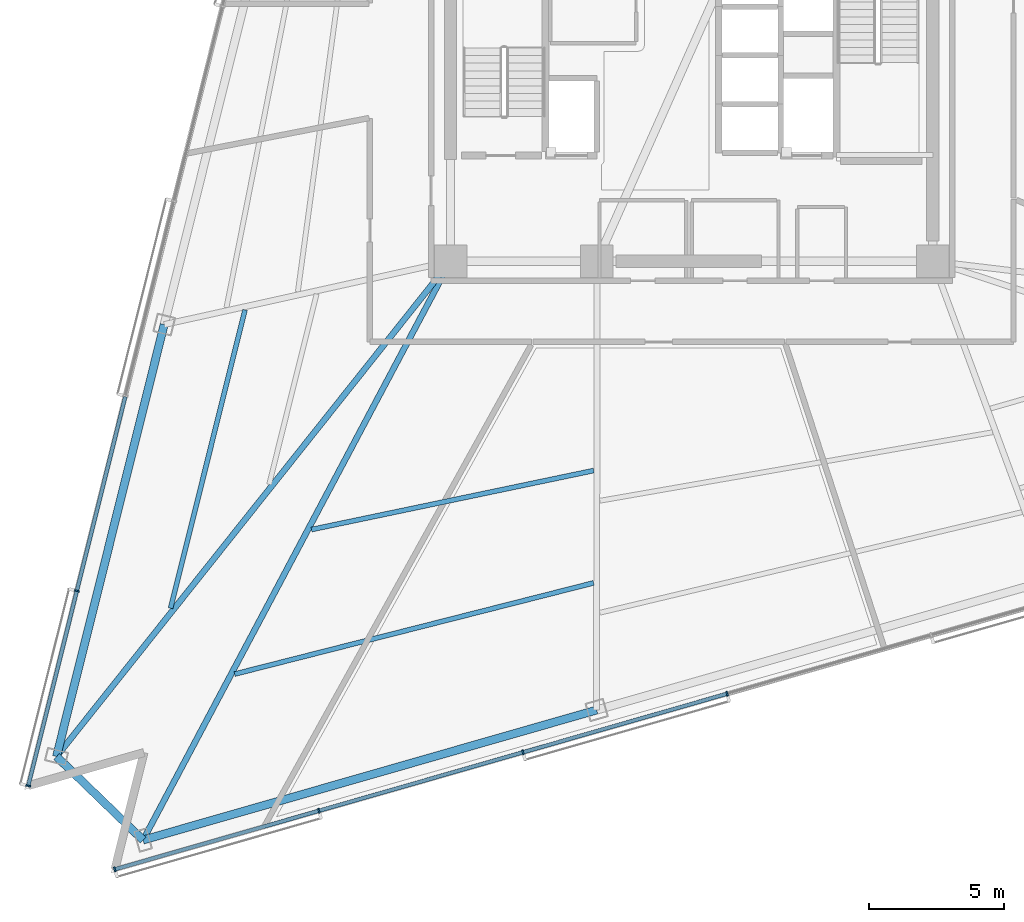
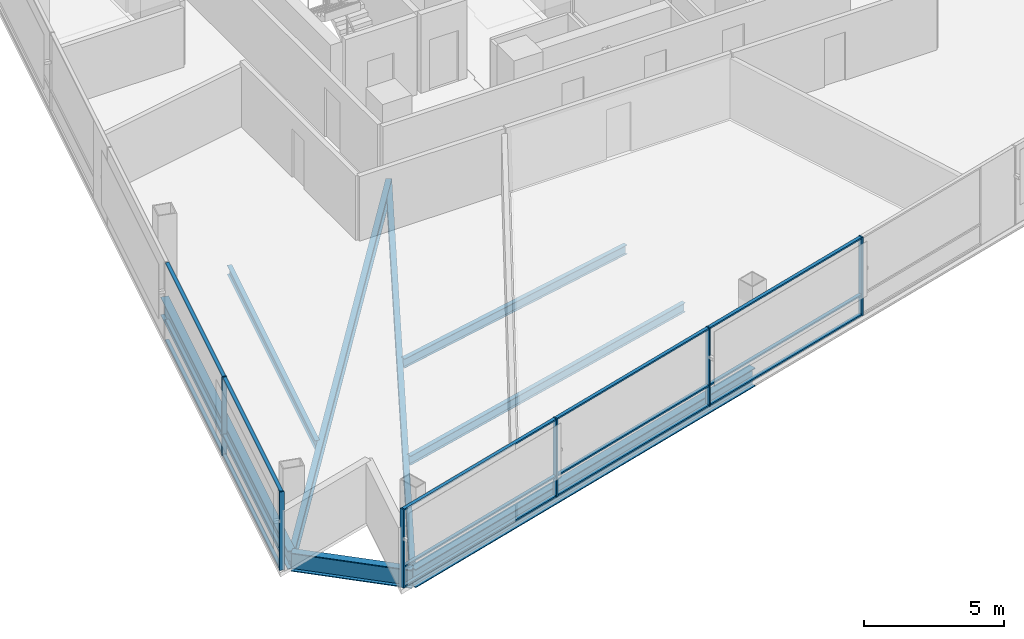
# One storey, part 2 of 17: 21 members, 8 beams, 2 elements without a shape of their own.
"""IFC4 building model written with IfcOpenShell, lengths in metres."""

import ifcopenshell
import ifcopenshell.guid

model = None  # the IFC model being written
_history = None  # IfcOwnerHistory: only IFC2X3 demands one
_inside = {}  # id of a spatial element -> (the spatial element, [elements in it])
_under = {}  # id of a project, library or spatial element -> (it, [spatial elements below it])
_declared = {}  # id of a project -> (the project, [libraries it declares])
_typed = {}  # id of a type object -> (the type object, [elements of that type])
_made_of = {}  # id of a material, layer set ... -> (it, [elements and type objects made of it])


def new_model(schema):
    """Start an empty IFC model of exactly this schema.

    Asked for "IFC4X3", IfcOpenShell would pick the latest addendum, in which some entities
    have other attributes; the version numbers below select the first issue.
    IFC2X3 requires an IfcOwnerHistory on every rooted entity: one is made here for all.
    """
    global model, _history
    if schema == "IFC4X3":
        model = ifcopenshell.file(schema_version=(4, 3, 0, 0))
    else:
        model = ifcopenshell.file(schema=schema)
    _inside.clear()
    _under.clear()
    _declared.clear()
    _typed.clear()
    _made_of.clear()
    _history = None
    if model.schema == "IFC2X3":
        org = make("IfcOrganization", Name="unknown")
        user = make(
            "IfcPersonAndOrganization",
            ThePerson=make("IfcPerson", FamilyName="unknown"),
            TheOrganization=org,
        )
        app = make(
            "IfcApplication",
            ApplicationDeveloper=org,
            Version="unknown",
            ApplicationFullName="unknown",
            ApplicationIdentifier="unknown",
        )
        _history = make(
            "IfcOwnerHistory",
            OwningUser=user,
            OwningApplication=app,
            ChangeAction="ADDED",
            CreationDate=0,
        )
    return model


def make(cls, **values):
    """One entity of the class cls with the attributes given. An attribute that is None is left unset."""
    return model.create_entity(
        cls, **{name: value for name, value in values.items() if value is not None}
    )


def rooted(cls, **values):
    """An entity with a GlobalId (a new one), such as an element, a storey or a relation."""
    return make(cls, GlobalId=ifcopenshell.guid.new(), OwnerHistory=_history, **values)


def si_unit(unit_type, name, prefix=None):
    """IfcSIUnit, for example si_unit("LENGTHUNIT", "METRE", prefix="MILLI")."""
    return make("IfcSIUnit", UnitType=unit_type, Prefix=prefix, Name=name)


def assignment(units):
    """IfcUnitAssignment: the units of a project."""
    return None if units is None else make("IfcUnitAssignment", Units=units)


def point(xyz):
    """IfcCartesianPoint."""
    return None if xyz is None else make("IfcCartesianPoint", Coordinates=xyz)


def direction(xyz):
    """IfcDirection."""
    return None if xyz is None else make("IfcDirection", DirectionRatios=xyz)


def frame(location, z_axis=None, x_axis=None):
    """IfcAxis2Placement3D, a coordinate frame: its origin and axes. An axis left out is left unset."""
    return make(
        "IfcAxis2Placement3D",
        Location=point(location),
        Axis=direction(z_axis),
        RefDirection=direction(x_axis),
    )


def frame_2d(location, x_axis=None):
    """IfcAxis2Placement2D, a coordinate frame in the plane: its origin and x axis."""
    return make(
        "IfcAxis2Placement2D", Location=point(location), RefDirection=direction(x_axis)
    )


def origin():
    """The frame at (0, 0, 0) with its axes left unset."""
    return frame((0.0, 0.0, 0.0))


def origin_2d():
    """The frame at (0, 0) in the plane with its x axis left unset."""
    return frame_2d((0.0, 0.0))


def place(relative_to, where):
    """IfcLocalPlacement: puts the frame where relative to a parent placement (None: the world)."""
    return make(
        "IfcLocalPlacement", PlacementRelTo=relative_to, RelativePlacement=where
    )


def context(
    kind, dimensions, precision=None, world=None, true_north=None, identifier=None
):
    """IfcGeometricRepresentationContext, for example the 3D "Model" context."""
    return make(
        "IfcGeometricRepresentationContext",
        ContextIdentifier=identifier,
        ContextType=kind,
        CoordinateSpaceDimension=dimensions,
        Precision=precision,
        WorldCoordinateSystem=world,
        TrueNorth=true_north,
    )


def subcontext(parent, identifier, kind, view, scale=None):
    """IfcGeometricRepresentationSubContext, for example "Body" below "Model"."""
    return make(
        "IfcGeometricRepresentationSubContext",
        ContextIdentifier=identifier,
        ContextType=kind,
        ParentContext=parent,
        TargetScale=scale,
        TargetView=view,
    )


def project(units=None, contexts=None):
    """IfcProject with its units and contexts."""
    return rooted(
        "IfcProject",
        Name="project",
        RepresentationContexts=contexts,
        UnitsInContext=assignment(units),
    )


def spatial(cls, under=None, at=None, **own):
    """A site, building, storey or space (cls), placed at a placement, below another one or the project."""
    s = rooted(cls, ObjectPlacement=at, **own)
    if under is not None:
        _under.setdefault(under.id(), (under, []))[1].append(s)
    return s


def profile(cls, at=None, kind="AREA", **sizes):
    """A parametric profile (cls). Its sizes go by their IFC names, for example OverallWidth=200.0."""
    return make(cls, ProfileType=kind, Position=at, **sizes)


def rectangle(**sizes):
    """IfcRectangleProfileDef."""
    return profile("IfcRectangleProfileDef", **sizes)


def i_section(**sizes):
    """IfcIShapeProfileDef."""
    return profile("IfcIShapeProfileDef", **sizes)


def extrude(swept, where, along, depth):
    """IfcExtrudedAreaSolid: the profile swept, set in the frame where, extruded along a direction by depth."""
    return make(
        "IfcExtrudedAreaSolid",
        SweptArea=swept,
        Position=where,
        ExtrudedDirection=direction(along),
        Depth=depth,
    )


def shape(context_of_items, identifier, shape_type, items):
    """IfcShapeRepresentation: the items that make up one representation, for example the "Body"."""
    return make(
        "IfcShapeRepresentation",
        ContextOfItems=context_of_items,
        RepresentationIdentifier=identifier,
        RepresentationType=shape_type,
        Items=items,
    )


def material(Name=None, Category=None):
    """IfcMaterial."""
    return make("IfcMaterial", Name=Name, Category=Category)


def layer(
    of_material, thickness, ventilated=None, Name=None, Category=None, Priority=None
):
    """IfcMaterialLayer: one layer of a wall or slab, of a material (None: an air gap)."""
    return make(
        "IfcMaterialLayer",
        Material=of_material,
        LayerThickness=thickness,
        IsVentilated=ventilated,
        Name=Name,
        Category=Category,
        Priority=Priority,
    )


def layer_set(layers, Name=None):
    """IfcMaterialLayerSet."""
    return make("IfcMaterialLayerSet", MaterialLayers=layers, LayerSetName=Name)


def material_profile(
    of_material, cross_section, Name=None, Category=None, Priority=None
):
    """IfcMaterialProfile: a cross section and its material."""
    return make(
        "IfcMaterialProfile",
        Name=Name,
        Material=of_material,
        Profile=cross_section,
        Priority=Priority,
        Category=Category,
    )


def profile_set(profiles, Name=None, composite=None):
    """IfcMaterialProfileSet."""
    return make(
        "IfcMaterialProfileSet",
        Name=Name,
        MaterialProfiles=profiles,
        CompositeProfile=composite,
    )


def made_of(thing, what):
    """Note that an element or type object is made of a material, layer set ...; save() writes the relation."""
    if what is not None:
        _made_of.setdefault(what.id(), (what, []))[1].append(thing)
    return thing


def type_object(cls, material=None, **own):
    """A type object (cls), such as IfcWallType, which elements share."""
    return made_of(rooted(cls, **own), material)


def element(
    cls,
    number,
    at=None,
    inside=None,
    cuts=None,
    type_object=None,
    material=None,
    context=None,
    identifier="Body",
    shape_type=None,
    held_by="IfcProductDefinitionShape",
    body=None,
    shapes=None,
    **own,
):
    """One element of the class cls, such as IfcWall. Its Tag is "e" and its number.

    at: its placement. inside: the storey or other place that contains it. cuts: it is an
    opening in that element (IfcRelVoidsElement). A single representation is given by context,
    identifier, shape_type and body (its items); several are given by shapes. held_by: the class
    of the entity that holds the representations. save() writes the other relations.
    """
    e = rooted(cls, Tag="e%d" % number, ObjectPlacement=at, **own)
    if body is not None:
        shapes = [shape(context, identifier, shape_type, body)]
    if shapes is not None:
        e.Representation = make(held_by, Representations=shapes)
    if inside is not None:
        _inside.setdefault(inside.id(), (inside, []))[1].append(e)
    if cuts is not None:
        rooted(
            "IfcRelVoidsElement", RelatingBuildingElement=cuts, RelatedOpeningElement=e
        )
    if type_object is not None:
        _typed.setdefault(type_object.id(), (type_object, []))[1].append(e)
    return made_of(e, material)


def aggregate(whole, parts):
    """IfcRelAggregates: a whole, such as a stair, and the parts it consists of."""
    return rooted("IfcRelAggregates", RelatingObject=whole, RelatedObjects=parts)


def save(model, path):
    """Write the relations noted so far, then the file.

    IfcRelAggregates (storeys below a building ...), IfcRelContainedInSpatialStructure (elements
    in a storey), IfcRelDefinesByType, IfcRelAssociatesMaterial and IfcRelDeclares: one each for
    every whole, place, type object, material and project.
    """
    for whole, parts in _under.values():
        aggregate(whole, parts)
    for where, things in _inside.values():
        rooted(
            "IfcRelContainedInSpatialStructure",
            RelatedElements=things,
            RelatingStructure=where,
        )
    for kind, things in _typed.values():
        rooted("IfcRelDefinesByType", RelatedObjects=things, RelatingType=kind)
    for what, things in _made_of.values():
        rooted("IfcRelAssociatesMaterial", RelatedObjects=things, RelatingMaterial=what)
    for by, libraries in _declared.values():
        rooted("IfcRelDeclares", RelatingContext=by, RelatedDefinitions=libraries)
    model.write(path)


model = new_model("IFC4")

# Units and contexts
model_context = context("Model", 3, precision=1e-05, world=origin(), true_north=direction((0.0, 1.0)))
body_context = subcontext(model_context, "Body", "Model", "MODEL_VIEW")
ifc_project = project(units=[si_unit("LENGTHUNIT", "METRE"), si_unit("AREAUNIT", "SQUARE_METRE"), si_unit("VOLUMEUNIT", "CUBIC_METRE"), si_unit("PLANEANGLEUNIT", "RADIAN"), si_unit("MASSUNIT", "GRAM", prefix="KILO")], contexts=[model_context])

# Site, building, storey
site_placement = place(None, origin())
site = spatial("IfcSite", under=ifc_project, at=site_placement, CompositionType="ELEMENT")
building_placement = place(site_placement, origin())
building = spatial("IfcBuilding", under=site, at=building_placement, Name="Tharavind Bronze Gate", CompositionType="ELEMENT")
storey_placement = place(building_placement, frame((0.0, 0.0, 96.89990234375)))
storey = spatial("IfcBuildingStorey", under=building, at=storey_placement, Name="L24", CompositionType="ELEMENT", Elevation=96.89990234375)

# Curtain wall, members
ifc_material_1 = material(Name="Anodised Bronze Aluminium", Category="aluminium")
ifc_layer = layer(ifc_material_1, 0.219970703125)
ifc_layer_set = layer_set([ifc_layer], Name="Anodised Bronze Aluminium")
curtain_wall_type = type_object("IfcCurtainWallType", Name="UNITISED CURTAIN WALL LOWER OFFICE", PredefinedType="USERDEFINED", material=ifc_layer_set)
curtain_wall_1_placement = place(storey_placement, origin())
curtain_wall_1 = element("IfcCurtainWall", 1, at=curtain_wall_1_placement, inside=storey, type_object=curtain_wall_type, Name="L24 unitised curtain wall lower office CW-L24-S1", ObjectType="UNITISED CURTAIN WALL", PredefinedType="USERDEFINED")
member_type_1 = type_object("IfcMemberType", Name="CURTAIN WALL BRONZE MULLION 65X180", PredefinedType="MULLION", material=ifc_material_1)
member_1_placement = place(storey_placement, frame((-22.695556640625, -19.76953125, 0.0), z_axis=(0.0, 0.0, 1.0), x_axis=(-0.2419218956, -0.970295726276, 0.0)))
member_1 = element("IfcMember", 2, at=member_1_placement, type_object=member_type_1, Name="CW-L24-S1 mullion 7", PredefinedType="MULLION", context=body_context, shape_type="SweptSolid", body=[
    extrude(rectangle(XDim=0.06494140625, YDim=0.179931640625, at=origin_2d()), origin(), (0.0, 0.0, 1.0), 3.409912109375),
])
member_2_placement = place(storey_placement, frame((-24.4892578125, -26.963623046875, 0.0), z_axis=(0.0, 0.0, 1.0), x_axis=(-0.2419218956, -0.970295726276, 0.0)))
member_2 = element("IfcMember", 3, at=member_2_placement, type_object=member_type_1, Name="CW-L24-S1 mullion 8", PredefinedType="MULLION", context=body_context, shape_type="SweptSolid", body=[
    extrude(rectangle(XDim=0.06494140625, YDim=0.179931640625, at=origin_2d()), origin(), (0.0, 0.0, 1.0), 3.409912109375),
])

curtain_wall_2_placement = place(storey_placement, origin())
curtain_wall_2 = element("IfcCurtainWall", 4, at=curtain_wall_2_placement, inside=storey, type_object=curtain_wall_type, Name="L24 unitised curtain wall lower office CW-L24-S2", ObjectType="UNITISED CURTAIN WALL", PredefinedType="USERDEFINED")
member_3_placement = place(storey_placement, frame((-21.29541015625, -30.0478515625, 0.0), z_axis=(0.0, 0.0, 1.0), x_axis=(0.961261695938, 0.275637355817, 0.0)))
member_3 = element("IfcMember", 5, at=member_3_placement, type_object=member_type_1, Name="CW-L24-S2 mullion 1", PredefinedType="MULLION", context=body_context, shape_type="SweptSolid", body=[
    extrude(rectangle(XDim=0.06494140625, YDim=0.179931640625, at=origin_2d()), origin(), (0.0, 0.0, 1.0), 3.409912109375),
])
member_4_placement = place(storey_placement, frame((-13.761962890625, -27.8876953125, 0.0), z_axis=(0.0, 0.0, 1.0), x_axis=(0.961261695938, 0.275637355817, 0.0)))
member_4 = element("IfcMember", 6, at=member_4_placement, type_object=member_type_1, Name="CW-L24-S2 mullion 2", PredefinedType="MULLION", context=body_context, shape_type="SweptSolid", body=[
    extrude(rectangle(XDim=0.06494140625, YDim=0.179931640625, at=origin_2d()), origin(), (0.0, 0.0, 1.0), 3.409912109375),
])
member_5_placement = place(storey_placement, frame((-6.228515625, -25.727294921875, 0.0), z_axis=(0.0, 0.0, 1.0), x_axis=(0.961261695938, 0.275637355817, 0.0)))
member_5 = element("IfcMember", 7, at=member_5_placement, type_object=member_type_1, Name="CW-L24-S2 mullion 3", PredefinedType="MULLION", context=body_context, shape_type="SweptSolid", body=[
    extrude(rectangle(XDim=0.06494140625, YDim=0.179931640625, at=origin_2d()), origin(), (0.0, 0.0, 1.0), 3.409912109375),
])
member_6_placement = place(storey_placement, frame((1.304931640625, -23.567138671875, 0.0), z_axis=(0.0, 0.0, 1.0), x_axis=(0.961261695938, 0.275637355817, 0.0)))
member_6 = element("IfcMember", 8, at=member_6_placement, type_object=member_type_1, Name="CW-L24-S2 mullion 4", PredefinedType="MULLION", context=body_context, shape_type="SweptSolid", body=[
    extrude(rectangle(XDim=0.06494140625, YDim=0.179931640625, at=origin_2d()), origin(), (0.0, 0.0, 1.0), 3.409912109375),
])

# Member
member_type_2 = type_object("IfcMemberType", Name="CURTAIN WALL BRONZE TRANSOM 65X140", PredefinedType="USERDEFINED", material=ifc_material_1)
member_7_placement = place(storey_placement, frame((-21.798828125, -16.172607421875, 0.000244140625), z_axis=(0.0, 0.0, 1.0), x_axis=(-0.2419218956, -0.970295726276, 0.0)))
member_7 = element("IfcMember", 9, at=member_7_placement, type_object=member_type_2, Name="CW-L24-S1 transom TB6", ObjectType="TRANSOM", PredefinedType="USERDEFINED", context=body_context, shape_type="SweptSolid", body=[
    extrude(rectangle(XDim=7.361083984375, YDim=0.139892578125, at=origin_2d()), origin(), (0.0, 0.0, 1.0), 0.06494140625),
])

member_8_placement = place(storey_placement, frame((-21.798828125, -16.172607421875, 0.86767578125), z_axis=(0.0, 0.0, 1.0), x_axis=(-0.2419218956, -0.970295726276, 0.0)))
member_8 = element("IfcMember", 10, at=member_8_placement, type_object=member_type_2, Name="CW-L24-S1 transom TS6", ObjectType="TRANSOM", PredefinedType="USERDEFINED", context=body_context, shape_type="SweptSolid", body=[
    extrude(rectangle(XDim=7.361083984375, YDim=0.139892578125, at=origin_2d()), origin(), (0.0, 0.0, 1.0), 0.06494140625),
])

member_9_placement = place(storey_placement, frame((-21.798828125, -16.172607421875, 3.34521484375), z_axis=(0.0, 0.0, 1.0), x_axis=(-0.2419218956, -0.970295726276, 0.0)))
member_9 = element("IfcMember", 11, at=member_9_placement, type_object=member_type_2, Name="CW-L24-S1 transom TT6", ObjectType="TRANSOM", PredefinedType="USERDEFINED", context=body_context, shape_type="SweptSolid", body=[
    extrude(rectangle(XDim=7.361083984375, YDim=0.139892578125, at=origin_2d()), origin(), (0.0, 0.0, 1.0), 0.06494140625),
])

member_10_placement = place(storey_placement, frame((-23.592529296875, -23.36669921875, 0.000244140625), z_axis=(0.0, 0.0, 1.0), x_axis=(-0.2419218956, -0.970295726276, 0.0)))
member_10 = element("IfcMember", 12, at=member_10_placement, type_object=member_type_2, Name="CW-L24-S1 transom TB7", ObjectType="TRANSOM", PredefinedType="USERDEFINED", context=body_context, shape_type="SweptSolid", body=[
    extrude(rectangle(XDim=7.361083984375, YDim=0.139892578125, at=origin_2d()), origin(), (0.0, 0.0, 1.0), 0.06494140625),
])

member_11_placement = place(storey_placement, frame((-23.592529296875, -23.36669921875, 0.86767578125), z_axis=(0.0, 0.0, 1.0), x_axis=(-0.2419218956, -0.970295726276, 0.0)))
member_11 = element("IfcMember", 13, at=member_11_placement, type_object=member_type_2, Name="CW-L24-S1 transom TS7", ObjectType="TRANSOM", PredefinedType="USERDEFINED", context=body_context, shape_type="SweptSolid", body=[
    extrude(rectangle(XDim=7.361083984375, YDim=0.139892578125, at=origin_2d()), origin(), (0.0, 0.0, 1.0), 0.06494140625),
])

member_12_placement = place(storey_placement, frame((-23.592529296875, -23.36669921875, 3.34521484375), z_axis=(0.0, 0.0, 1.0), x_axis=(-0.2419218956, -0.970295726276, 0.0)))
member_12 = element("IfcMember", 14, at=member_12_placement, type_object=member_type_2, Name="CW-L24-S1 transom TT7", ObjectType="TRANSOM", PredefinedType="USERDEFINED", context=body_context, shape_type="SweptSolid", body=[
    extrude(rectangle(XDim=7.361083984375, YDim=0.139892578125, at=origin_2d()), origin(), (0.0, 0.0, 1.0), 0.06494140625),
])

aggregate(curtain_wall_1, [member_1, member_2, member_7, member_8, member_9, member_10, member_11, member_12])

member_13_placement = place(storey_placement, frame((-17.52880859375, -28.9677734375, 0.000244140625), z_axis=(0.0, 0.0, 1.0), x_axis=(0.961261695938, 0.275637355817, 0.0)))
member_13 = element("IfcMember", 15, at=member_13_placement, type_object=member_type_2, Name="CW-L24-S2 transom TB1", ObjectType="TRANSOM", PredefinedType="USERDEFINED", context=body_context, shape_type="SweptSolid", body=[
    extrude(rectangle(XDim=7.7841796875, YDim=0.139892578125, at=origin_2d()), origin(), (0.0, 0.0, 1.0), 0.06494140625),
])

member_14_placement = place(storey_placement, frame((-17.52880859375, -28.9677734375, 0.86767578125), z_axis=(0.0, 0.0, 1.0), x_axis=(0.961261695938, 0.275637355817, 0.0)))
member_14 = element("IfcMember", 16, at=member_14_placement, type_object=member_type_2, Name="CW-L24-S2 transom TS1", ObjectType="TRANSOM", PredefinedType="USERDEFINED", context=body_context, shape_type="SweptSolid", body=[
    extrude(rectangle(XDim=7.7841796875, YDim=0.139892578125, at=origin_2d()), origin(), (0.0, 0.0, 1.0), 0.06494140625),
])

member_15_placement = place(storey_placement, frame((-17.52880859375, -28.9677734375, 3.34521484375), z_axis=(0.0, 0.0, 1.0), x_axis=(0.961261695938, 0.275637355817, 0.0)))
member_15 = element("IfcMember", 17, at=member_15_placement, type_object=member_type_2, Name="CW-L24-S2 transom TT1", ObjectType="TRANSOM", PredefinedType="USERDEFINED", context=body_context, shape_type="SweptSolid", body=[
    extrude(rectangle(XDim=7.7841796875, YDim=0.139892578125, at=origin_2d()), origin(), (0.0, 0.0, 1.0), 0.06494140625),
])

member_16_placement = place(storey_placement, frame((-9.995361328125, -26.8076171875, 0.000244140625), z_axis=(0.0, 0.0, 1.0), x_axis=(0.961261695938, 0.275637355817, 0.0)))
member_16 = element("IfcMember", 18, at=member_16_placement, type_object=member_type_2, Name="CW-L24-S2 transom TB2", ObjectType="TRANSOM", PredefinedType="USERDEFINED", context=body_context, shape_type="SweptSolid", body=[
    extrude(rectangle(XDim=7.7841796875, YDim=0.139892578125, at=origin_2d()), origin(), (0.0, 0.0, 1.0), 0.06494140625),
])

member_17_placement = place(storey_placement, frame((-9.995361328125, -26.8076171875, 0.86767578125), z_axis=(0.0, 0.0, 1.0), x_axis=(0.961261695938, 0.275637355817, 0.0)))
member_17 = element("IfcMember", 19, at=member_17_placement, type_object=member_type_2, Name="CW-L24-S2 transom TS2", ObjectType="TRANSOM", PredefinedType="USERDEFINED", context=body_context, shape_type="SweptSolid", body=[
    extrude(rectangle(XDim=7.7841796875, YDim=0.139892578125, at=origin_2d()), origin(), (0.0, 0.0, 1.0), 0.06494140625),
])

member_18_placement = place(storey_placement, frame((-9.995361328125, -26.8076171875, 3.34521484375), z_axis=(0.0, 0.0, 1.0), x_axis=(0.961261695938, 0.275637355817, 0.0)))
member_18 = element("IfcMember", 20, at=member_18_placement, type_object=member_type_2, Name="CW-L24-S2 transom TT2", ObjectType="TRANSOM", PredefinedType="USERDEFINED", context=body_context, shape_type="SweptSolid", body=[
    extrude(rectangle(XDim=7.7841796875, YDim=0.139892578125, at=origin_2d()), origin(), (0.0, 0.0, 1.0), 0.06494140625),
])

member_19_placement = place(storey_placement, frame((-2.4619140625, -24.647216796875, 0.000244140625), z_axis=(0.0, 0.0, 1.0), x_axis=(0.961261695938, 0.275637355817, 0.0)))
member_19 = element("IfcMember", 21, at=member_19_placement, type_object=member_type_2, Name="CW-L24-S2 transom TB3", ObjectType="TRANSOM", PredefinedType="USERDEFINED", context=body_context, shape_type="SweptSolid", body=[
    extrude(rectangle(XDim=7.7841796875, YDim=0.139892578125, at=origin_2d()), origin(), (0.0, 0.0, 1.0), 0.06494140625),
])

member_20_placement = place(storey_placement, frame((-2.4619140625, -24.647216796875, 0.86767578125), z_axis=(0.0, 0.0, 1.0), x_axis=(0.961261695938, 0.275637355817, 0.0)))
member_20 = element("IfcMember", 22, at=member_20_placement, type_object=member_type_2, Name="CW-L24-S2 transom TS3", ObjectType="TRANSOM", PredefinedType="USERDEFINED", context=body_context, shape_type="SweptSolid", body=[
    extrude(rectangle(XDim=7.7841796875, YDim=0.139892578125, at=origin_2d()), origin(), (0.0, 0.0, 1.0), 0.06494140625),
])

member_21_placement = place(storey_placement, frame((-2.4619140625, -24.647216796875, 3.34521484375), z_axis=(0.0, 0.0, 1.0), x_axis=(0.961261695938, 0.275637355817, 0.0)))
member_21 = element("IfcMember", 23, at=member_21_placement, type_object=member_type_2, Name="CW-L24-S2 transom TT3", ObjectType="TRANSOM", PredefinedType="USERDEFINED", context=body_context, shape_type="SweptSolid", body=[
    extrude(rectangle(XDim=7.7841796875, YDim=0.139892578125, at=origin_2d()), origin(), (0.0, 0.0, 1.0), 0.06494140625),
])

aggregate(curtain_wall_2, [member_3, member_4, member_5, member_6, member_13, member_14, member_15, member_16, member_17, member_18, member_19, member_20, member_21])

# Beams
ifc_material_2 = material(Name="Steel S355", Category="steel")
ifc_material_profile_1 = material_profile(ifc_material_2, i_section(OverallWidth=0.219970703125, OverallDepth=0.60009765625, WebThickness=0.011962890625, FlangeThickness=0.01904296875, at=origin_2d()), Name="IPE600")
ifc_profile_set_1 = profile_set([ifc_material_profile_1], Name="Steel S355")
beam_type_1 = type_object("IfcBeamType", Name="PRIMARY GIRDER IPE600", PredefinedType="USERDEFINED", material=ifc_profile_set_1)
beam_1_placement = place(storey_placement, frame((-23.447265625, -25.884521484375, -0.489990234375), z_axis=(0.622600502265, 0.782539848557, 0.0), x_axis=(-0.782539848557, 0.622600502265, 0.0)))
element("IfcBeam", 24, at=beam_1_placement, inside=storey, type_object=beam_type_1, Name="L24 primary girder ipe600 BM-L24-RAD04", ObjectType="GIRDER", PredefinedType="USERDEFINED", context=body_context, shape_type="SweptSolid", body=[
    extrude(i_section(OverallWidth=0.219970703125, OverallDepth=0.60009765625, WebThickness=0.011962890625, FlangeThickness=0.01904296875, at=origin_2d()), origin(), (0.0, 0.0, 1.0), 23.365478515625),
])
beam_2_placement = place(storey_placement, frame((-20.25341796875, -28.96875, -0.489990234375), z_axis=(0.469200962238, 0.883091420542, 0.0), x_axis=(-0.883091420542, 0.469200962238, 0.0)))
element("IfcBeam", 25, at=beam_2_placement, inside=storey, type_object=beam_type_1, Name="L24 primary girder ipe600 BM-L24-RAD05", ObjectType="GIRDER", PredefinedType="USERDEFINED", context=body_context, shape_type="SweptSolid", body=[
    extrude(i_section(OverallWidth=0.219970703125, OverallDepth=0.60009765625, WebThickness=0.011962890625, FlangeThickness=0.01904296875, at=origin_2d()), origin(), (0.0, 0.0, 1.0), 24.197509765625),
])
ifc_material_profile_2 = material_profile(ifc_material_2, i_section(OverallWidth=0.300048828125, OverallDepth=0.800048828125, WebThickness=0.017578125, FlangeThickness=0.032958984375, at=origin_2d()), Name="HE800B")
ifc_profile_set_2 = profile_set([ifc_material_profile_2], Name="Steel S355")
beam_type_2 = type_object("IfcBeamType", Name="RING GIRDER HE800B", PredefinedType="USERDEFINED", material=ifc_profile_set_2)
beam_3_placement = place(storey_placement, frame((-19.4716796875, -9.93896484375, -0.58984375), z_axis=(-0.24191686251, -0.970296981152, 0.0), x_axis=(0.970296981152, -0.24191686251, 0.0)))
element("IfcBeam", 26, at=beam_3_placement, inside=storey, type_object=beam_type_2, Name="L24 ring girder he800b BM-L24-PRG03", ObjectType="GIRDER", PredefinedType="USERDEFINED", context=body_context, shape_type="SweptSolid", body=[
    extrude(i_section(OverallWidth=0.300048828125, OverallDepth=0.800048828125, WebThickness=0.017578125, FlangeThickness=0.032958984375, at=origin_2d()), origin(), (0.0, 0.0, 1.0), 16.43359375),
])
beam_4_placement = place(storey_placement, frame((-23.447265625, -25.884521484375, -0.58984375), z_axis=(0.719343662261, -0.694654371299, 0.0), x_axis=(0.694654371299, 0.719343662261, 0.0)))
element("IfcBeam", 27, at=beam_4_placement, inside=storey, type_object=beam_type_2, Name="L24 ring girder he800b BM-L24-PRG04", ObjectType="GIRDER", PredefinedType="USERDEFINED", context=body_context, shape_type="SweptSolid", body=[
    extrude(i_section(OverallWidth=0.300048828125, OverallDepth=0.800048828125, WebThickness=0.017578125, FlangeThickness=0.032958984375, at=origin_2d()), origin(), (0.0, 0.0, 1.0), 4.43994140625),
])
beam_5_placement = place(storey_placement, frame((-20.25341796875, -28.96875, -0.58984375), z_axis=(0.961261198388, 0.275639090974, 0.0), x_axis=(-0.275639090974, 0.961261198388, 0.0)))
element("IfcBeam", 28, at=beam_5_placement, inside=storey, type_object=beam_type_2, Name="L24 ring girder he800b BM-L24-PRG05", ObjectType="GIRDER", PredefinedType="USERDEFINED", context=body_context, shape_type="SweptSolid", body=[
    extrude(i_section(OverallWidth=0.300048828125, OverallDepth=0.800048828125, WebThickness=0.017578125, FlangeThickness=0.032958984375, at=origin_2d()), origin(), (0.0, 0.0, 1.0), 17.42041015625),
])
ifc_material_profile_3 = material_profile(ifc_material_2, i_section(OverallWidth=0.179931640625, OverallDepth=0.39990234375, WebThickness=0.008544921875, FlangeThickness=0.013427734375, at=origin_2d()), Name="IPE400")
ifc_profile_set_3 = profile_set([ifc_material_profile_3], Name="Steel S355")
beam_type_3 = type_object("IfcBeamType", Name="SECONDARY FLOOR JOIST IPE400", PredefinedType="JOIST", material=ifc_profile_set_3)
beam_6_placement = place(storey_placement, frame((-16.489501953125, -9.3955078125, -0.389892578125), z_axis=(-0.241903146974, -0.970300400641, 0.0), x_axis=(0.970300400641, -0.241903146974, 0.0)))
element("IfcBeam", 29, at=beam_6_placement, inside=storey, type_object=beam_type_3, Name="L24 secondary floor joist ipe400 BM-L24-JSTB03", PredefinedType="JOIST", context=body_context, shape_type="SweptSolid", body=[
    extrude(i_section(OverallWidth=0.179931640625, OverallDepth=0.39990234375, WebThickness=0.008544921875, FlangeThickness=0.013427734375, at=origin_2d()), origin(), (0.0, 0.0, 1.0), 11.35400390625),
])
beam_7_placement = place(storey_placement, frame((-14.035400390625, -17.50634765625, -0.389892578125), z_axis=(0.97881885556, 0.204728229614, 0.0), x_axis=(-0.204728229614, 0.97881885556, 0.0)))
element("IfcBeam", 30, at=beam_7_placement, inside=storey, type_object=beam_type_3, Name="L24 secondary floor joist ipe400 BM-L24-JSTA05", PredefinedType="JOIST", context=body_context, shape_type="SweptSolid", body=[
    extrude(i_section(OverallWidth=0.179931640625, OverallDepth=0.39990234375, WebThickness=0.008544921875, FlangeThickness=0.013427734375, at=origin_2d()), origin(), (0.0, 0.0, 1.0), 10.64306640625),
])
beam_8_placement = place(storey_placement, frame((-16.869873046875, -22.841064453125, -0.389892578125), z_axis=(0.969204659951, 0.246256628601, 0.0), x_axis=(-0.246256628601, 0.969204659951, 0.0)))
element("IfcBeam", 31, at=beam_8_placement, inside=storey, type_object=beam_type_3, Name="L24 secondary floor joist ipe400 BM-L24-JSTB05", PredefinedType="JOIST", context=body_context, shape_type="SweptSolid", body=[
    extrude(i_section(OverallWidth=0.179931640625, OverallDepth=0.39990234375, WebThickness=0.008544921875, FlangeThickness=0.013427734375, at=origin_2d()), origin(), (0.0, 0.0, 1.0), 13.67138671875),
])

save(model, "model.ifc")
